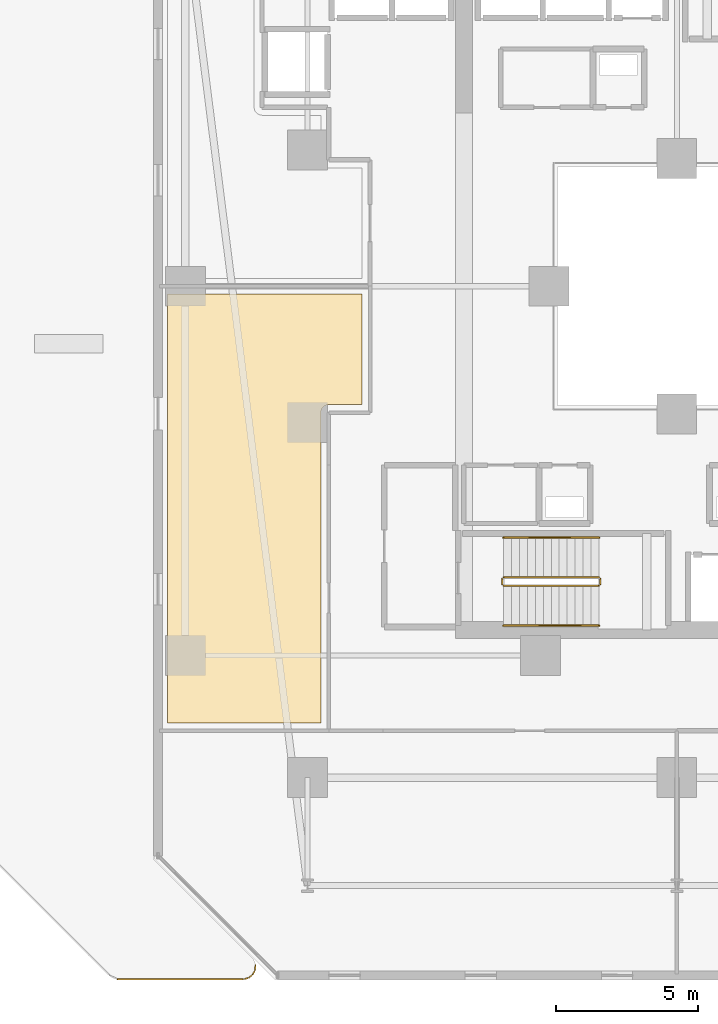
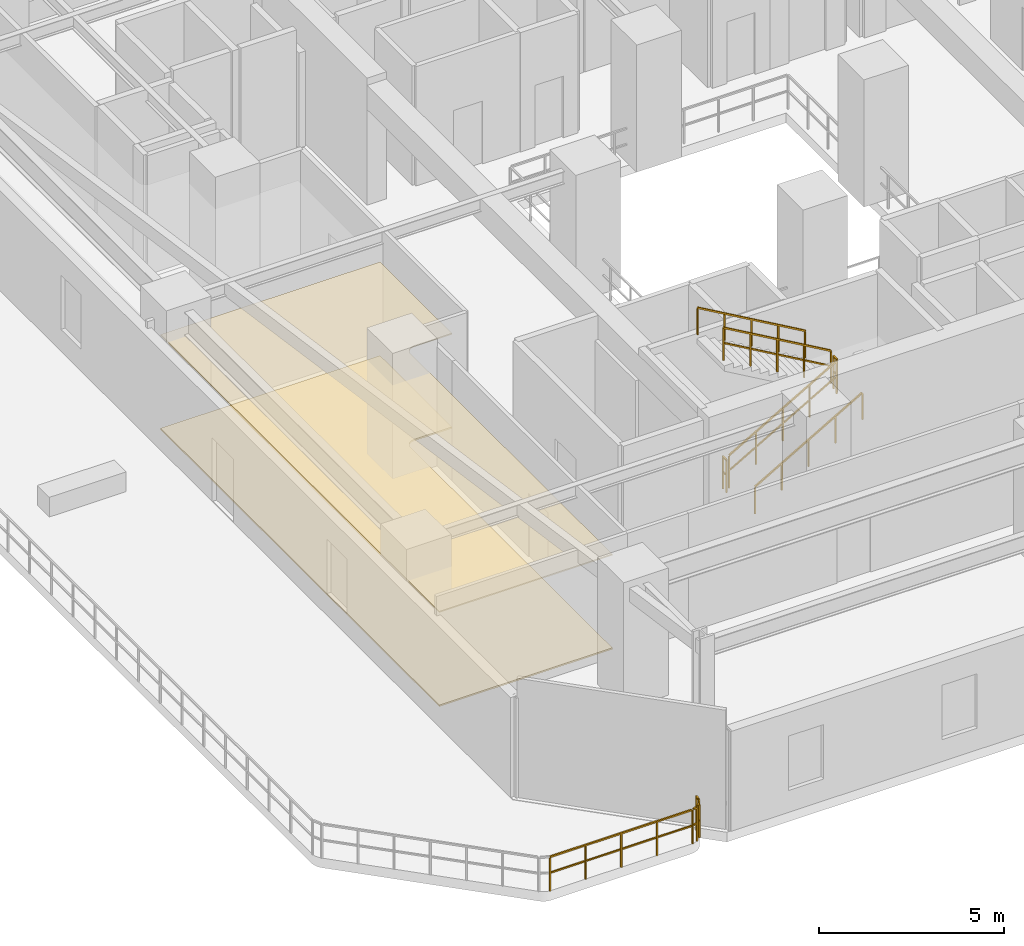
# One storey, part 28 of 33: 7 railings, 2 coverings.
"""IFC4 building model written with IfcOpenShell, lengths in metres."""

from ifc_helpers import new_model, si_unit, direction, frame, origin, origin_2d, place, context, subcontext, project, spatial, polyline, rectangle, outline, extrude, material, layer, layer_set, type_object, element, save


model = new_model("IFC4")

# Units and contexts
model_context = context("Model", 3, precision=1e-05, world=origin(), true_north=direction((0.0, 1.0)))
body_context = subcontext(model_context, "Body", "Model", "MODEL_VIEW")
ifc_project = project(units=[si_unit("LENGTHUNIT", "METRE"), si_unit("AREAUNIT", "SQUARE_METRE"), si_unit("VOLUMEUNIT", "CUBIC_METRE"), si_unit("PLANEANGLEUNIT", "RADIAN"), si_unit("MASSUNIT", "GRAM", prefix="KILO")], contexts=[model_context])

# Site, building, storey
site_placement = place(None, origin())
site = spatial("IfcSite", under=ifc_project, at=site_placement, CompositionType="ELEMENT")
building_placement = place(site_placement, origin())
building = spatial("IfcBuilding", under=site, at=building_placement, Name="Thornwick Lancets Civic Towers", CompositionType="ELEMENT")
storey_placement = place(building_placement, frame((0.0, 0.0, 49.5)))
storey = spatial("IfcBuildingStorey", under=building, at=storey_placement, Name="L12", CompositionType="ELEMENT", Elevation=49.5)

# Coverings
ifc_material_1 = material(Name="Perforated mineral acoustic ceiling tile")
ifc_layer_1 = layer(ifc_material_1, 0.0400390625, Name="Perforated mineral acoustic ceiling tile")
ifc_layer_set_1 = layer_set([ifc_layer_1], Name="Perforated mineral acoustic ceiling tile")
covering_type_1 = type_object("IfcCoveringType", Name="COV_CEIL_ACOUSTIC", PredefinedType="CEILING", material=ifc_layer_set_1)
covering_1_placement = place(storey_placement, frame((0.0, 0.0, 3.10498046875)))
element("IfcCovering", 1, at=covering_1_placement, inside=storey, type_object=covering_type_1, Name="L12 Tower A Ministry Directorate Office W1 Ceiling", PredefinedType="CEILING", context=body_context, shape_type="SweptSolid", body=[
    extrude(outline(polyline([(14.419921875, 26.719970703125), (14.419921875, 22.830078125), (13.25, 22.830078125), (13.22265625, 22.82861328125), (13.1953125, 22.82470703125), (13.168701171875, 22.81787109375), (13.142822265625, 22.80859375), (13.117919921875, 22.796875), (13.094482421875, 22.78271484375), (13.072509765625, 22.766357421875), (13.052001953125, 22.748046875), (13.03369140625, 22.7275390625), (13.01708984375, 22.70556640625), (13.003173828125, 22.681884765625), (12.9912109375, 22.6572265625), (12.982177734375, 22.63134765625), (12.975341796875, 22.6044921875), (12.97119140625, 22.577392578125), (12.969970703125, 22.550048828125), (12.969970703125, 11.6298828125), (7.56005859375, 11.6298828125), (7.56005859375, 26.719970703125), (14.419921875, 26.719970703125)])), origin(), (0.0, 0.0, 1.0), 0.0400390625),
])
ifc_material_2 = material(Name="Calcium-sulfate raised access floor panel")
ifc_layer_2 = layer(ifc_material_2, 0.050048828125, Name="Calcium-sulfate raised access floor panel")
ifc_layer_set_2 = layer_set([ifc_layer_2], Name="Calcium-sulfate raised access floor panel")
covering_type_2 = type_object("IfcCoveringType", Name="COV_FLOOR_RAISED", PredefinedType="FLOORING", material=ifc_layer_set_2)
covering_2_placement = place(storey_placement, origin())
element("IfcCovering", 2, at=covering_2_placement, inside=storey, type_object=covering_type_2, Name="L12 Tower A Ministry Directorate Office W1 Raised Access Flooring", PredefinedType="FLOORING", context=body_context, shape_type="SweptSolid", body=[
    extrude(outline(polyline([(14.419921875, 26.719970703125), (14.419921875, 22.830078125), (13.25, 22.830078125), (13.22265625, 22.82861328125), (13.1953125, 22.82470703125), (13.168701171875, 22.81787109375), (13.142822265625, 22.80859375), (13.117919921875, 22.796875), (13.094482421875, 22.78271484375), (13.072509765625, 22.766357421875), (13.052001953125, 22.748046875), (13.03369140625, 22.7275390625), (13.01708984375, 22.70556640625), (13.003173828125, 22.681884765625), (12.9912109375, 22.6572265625), (12.982177734375, 22.63134765625), (12.975341796875, 22.6044921875), (12.97119140625, 22.577392578125), (12.969970703125, 22.550048828125), (12.969970703125, 11.6298828125), (7.56005859375, 11.6298828125), (7.56005859375, 26.719970703125), (14.419921875, 26.719970703125)])), origin(), (0.0, 0.0, 1.0), 0.050048828125),
])

# Railings
ifc_material_3 = material(Name="Brushed stainless steel S355", Category="steel")
railing_type_1 = type_object("IfcRailingType", Name="RAIL_HANDRAIL", PredefinedType="HANDRAIL", material=ifc_material_3)
railing_1_placement = place(storey_placement, frame((19.39990234375, 15.050048828125, 0.16162109375)))
element("IfcRailing", 3, at=railing_1_placement, inside=storey, type_object=railing_type_1, Name="L12 ST-A1 stair handrail 1", PredefinedType="HANDRAIL", context=body_context, shape_type="SweptSolid", body=[
    extrude(rectangle(XDim=0.048095703125, YDim=0.048095703125, at=origin_2d()), frame((0.0, 0.0, 0.8857421875), z_axis=(0.866190824863, 0.0, 0.499713372768), x_axis=(0.0, 1.0, 0.0)), (0.0, 0.0, 1.0), 3.879150390625),
    extrude(rectangle(XDim=0.0419921875, YDim=0.0419921875, at=origin_2d()), origin(), (0.0, 0.0, 1.0), 0.855712890625),
    extrude(rectangle(XDim=0.0419921875, YDim=0.0419921875, at=origin_2d()), frame((0.840087890625, 0.0, 0.484619140625)), (0.0, 0.0, 1.0), 0.855712890625),
    extrude(rectangle(XDim=0.0419921875, YDim=0.0419921875, at=origin_2d()), frame((1.68017578125, 0.0, 0.96923828125)), (0.0, 0.0, 1.0), 0.855712890625),
    extrude(rectangle(XDim=0.0419921875, YDim=0.0419921875, at=origin_2d()), frame((2.52001953125, 0.0, 1.453857421875)), (0.0, 0.0, 1.0), 0.855712890625),
    extrude(rectangle(XDim=0.0419921875, YDim=0.0419921875, at=origin_2d()), frame((3.360107421875, 0.0, 1.9384765625)), (0.0, 0.0, 1.0), 0.855712890625),
])
railing_2_placement = place(storey_placement, frame((22.760009765625, 18.14990234375, 2.261474609375)))
element("IfcRailing", 4, at=railing_2_placement, inside=storey, type_object=railing_type_1, Name="L12 ST-A1 stair handrail 2", PredefinedType="HANDRAIL", context=body_context, shape_type="SweptSolid", body=[
    extrude(rectangle(XDim=0.048095703125, YDim=0.048095703125, at=origin_2d()), frame((0.0, 0.0, 0.8857421875), z_axis=(-0.866190824863, 0.0, 0.499713372768), x_axis=(0.0, -1.0, 0.0)), (0.0, 0.0, 1.0), 3.879150390625),
    extrude(rectangle(XDim=0.0419921875, YDim=0.0419921875, at=origin_2d()), origin(), (0.0, 0.0, 1.0), 0.855712890625),
    extrude(rectangle(XDim=0.0419921875, YDim=0.0419921875, at=origin_2d()), frame((-0.840087890625, 0.0, 0.484619140625)), (0.0, 0.0, 1.0), 0.855712890625),
    extrude(rectangle(XDim=0.0419921875, YDim=0.0419921875, at=origin_2d()), frame((-1.68017578125, 0.0, 0.96923828125)), (0.0, 0.0, 1.0), 0.855712890625),
    extrude(rectangle(XDim=0.0419921875, YDim=0.0419921875, at=origin_2d()), frame((-2.52001953125, 0.0, 1.453857421875)), (0.0, 0.0, 1.0), 0.855712890625),
    extrude(rectangle(XDim=0.0419921875, YDim=0.0419921875, at=origin_2d()), frame((-3.360107421875, 0.0, 1.9384765625)), (0.0, 0.0, 1.0), 0.855712890625),
])
ifc_material_4 = material(Name="Steel S355JR", Category="steel")
railing_type_2 = type_object("IfcRailingType", Name="RAIL_STAIR_GUARD", PredefinedType="GUARDRAIL", material=ifc_material_4)
railing_3_placement = place(storey_placement, frame((19.39990234375, 16.449951171875, 0.16162109375)))
element("IfcRailing", 5, at=railing_3_placement, inside=storey, type_object=railing_type_2, Name="L12 ST-A1 stair guard 1", PredefinedType="GUARDRAIL", context=body_context, shape_type="SweptSolid", body=[
    extrude(rectangle(XDim=0.048095703125, YDim=0.048095703125, at=origin_2d()), frame((0.0, 0.0, 1.076171875), z_axis=(0.866190824863, 0.0, 0.499713372768), x_axis=(0.0, 1.0, 0.0)), (0.0, 0.0, 1.0), 3.879150390625),
    extrude(rectangle(XDim=0.0419921875, YDim=0.0419921875, at=origin_2d()), frame((0.032470703125, 0.0, 0.5908203125), z_axis=(0.866190824863, 0.0, 0.499713372768), x_axis=(0.0, 1.0, 0.0)), (0.0, 0.0, 1.0), 0.894775390625),
    extrude(rectangle(XDim=0.0419921875, YDim=0.0419921875, at=origin_2d()), frame((0.87255859375, 0.0, 1.075439453125), z_axis=(0.866190824863, 0.0, 0.499713372768), x_axis=(0.0, 1.0, 0.0)), (0.0, 0.0, 1.0), 0.894775390625),
    extrude(rectangle(XDim=0.0419921875, YDim=0.0419921875, at=origin_2d()), frame((1.712646484375, 0.0, 1.56005859375), z_axis=(0.866190824863, 0.0, 0.499713372768), x_axis=(0.0, 1.0, 0.0)), (0.0, 0.0, 1.0), 0.894775390625),
    extrude(rectangle(XDim=0.0419921875, YDim=0.0419921875, at=origin_2d()), frame((2.552490234375, 0.0, 2.044677734375), z_axis=(0.866190824863, 0.0, 0.499713372768), x_axis=(0.0, 1.0, 0.0)), (0.0, 0.0, 1.0), 0.894775390625),
    extrude(rectangle(XDim=0.0419921875, YDim=0.0419921875, at=origin_2d()), origin(), (0.0, 0.0, 1.0), 1.0458984375),
    extrude(rectangle(XDim=0.0419921875, YDim=0.0419921875, at=origin_2d()), frame((0.840087890625, 0.0, 0.484619140625)), (0.0, 0.0, 1.0), 1.0458984375),
    extrude(rectangle(XDim=0.0419921875, YDim=0.0419921875, at=origin_2d()), frame((1.68017578125, 0.0, 0.96923828125)), (0.0, 0.0, 1.0), 1.0458984375),
    extrude(rectangle(XDim=0.0419921875, YDim=0.0419921875, at=origin_2d()), frame((2.52001953125, 0.0, 1.453857421875)), (0.0, 0.0, 1.0), 1.0458984375),
    extrude(rectangle(XDim=0.0419921875, YDim=0.0419921875, at=origin_2d()), frame((3.360107421875, 0.0, 1.9384765625)), (0.0, 0.0, 1.0), 1.0458984375),
])
railing_4_placement = place(storey_placement, frame((22.81005859375, 16.5, 2.10009765625)))
element("IfcRailing", 6, at=railing_4_placement, inside=storey, type_object=railing_type_2, Name="L12 ST-A1 stair guard 2", PredefinedType="GUARDRAIL", context=body_context, shape_type="SweptSolid", body=[
    extrude(rectangle(XDim=0.048095703125, YDim=0.048095703125, at=origin_2d()), frame((0.0, 0.0, 1.076171875), z_axis=(0.0, 1.0, 0.0), x_axis=(-1.0, 0.0, 0.0)), (0.0, 0.0, 1.0), 0.199951171875),
    extrude(rectangle(XDim=0.0419921875, YDim=0.0419921875, at=origin_2d()), frame((0.0, 0.03759765625, 0.572021484375), z_axis=(0.0, 1.0, 0.0), x_axis=(-1.0, 0.0, 0.0)), (0.0, 0.0, 1.0), 0.125),
    extrude(rectangle(XDim=0.0419921875, YDim=0.0419921875, at=origin_2d()), origin(), (0.0, 0.0, 1.0), 1.0458984375),
    extrude(rectangle(XDim=0.0419921875, YDim=0.0419921875, at=origin_2d()), frame((0.0, 0.199951171875, 0.0)), (0.0, 0.0, 1.0), 1.0458984375),
])
railing_5_placement = place(storey_placement, frame((22.760009765625, 16.75, 2.261474609375)))
element("IfcRailing", 7, at=railing_5_placement, inside=storey, type_object=railing_type_2, Name="L12 ST-A1 stair guard 3", PredefinedType="GUARDRAIL", context=body_context, shape_type="SweptSolid", body=[
    extrude(rectangle(XDim=0.048095703125, YDim=0.048095703125, at=origin_2d()), frame((0.0, 0.0, 1.076171875), z_axis=(-0.866190824863, 0.0, 0.499713372768), x_axis=(0.0, -1.0, 0.0)), (0.0, 0.0, 1.0), 3.879150390625),
    extrude(rectangle(XDim=0.0419921875, YDim=0.0419921875, at=origin_2d()), frame((-0.032470703125, 0.0, 0.5908203125), z_axis=(-0.866190824863, 0.0, 0.499713372768), x_axis=(0.0, -1.0, 0.0)), (0.0, 0.0, 1.0), 0.894775390625),
    extrude(rectangle(XDim=0.0419921875, YDim=0.0419921875, at=origin_2d()), frame((-0.87255859375, 0.0, 1.075439453125), z_axis=(-0.866190824863, 0.0, 0.499713372768), x_axis=(0.0, -1.0, 0.0)), (0.0, 0.0, 1.0), 0.894775390625),
    extrude(rectangle(XDim=0.0419921875, YDim=0.0419921875, at=origin_2d()), frame((-1.712646484375, 0.0, 1.56005859375), z_axis=(-0.866190824863, 0.0, 0.499713372768), x_axis=(0.0, -1.0, 0.0)), (0.0, 0.0, 1.0), 0.894775390625),
    extrude(rectangle(XDim=0.0419921875, YDim=0.0419921875, at=origin_2d()), frame((-2.552490234375, 0.0, 2.044677734375), z_axis=(-0.866190824863, 0.0, 0.499713372768), x_axis=(0.0, -1.0, 0.0)), (0.0, 0.0, 1.0), 0.894775390625),
    extrude(rectangle(XDim=0.0419921875, YDim=0.0419921875, at=origin_2d()), origin(), (0.0, 0.0, 1.0), 1.0458984375),
    extrude(rectangle(XDim=0.0419921875, YDim=0.0419921875, at=origin_2d()), frame((-0.840087890625, 0.0, 0.484619140625)), (0.0, 0.0, 1.0), 1.0458984375),
    extrude(rectangle(XDim=0.0419921875, YDim=0.0419921875, at=origin_2d()), frame((-1.68017578125, 0.0, 0.96923828125)), (0.0, 0.0, 1.0), 1.0458984375),
    extrude(rectangle(XDim=0.0419921875, YDim=0.0419921875, at=origin_2d()), frame((-2.52001953125, 0.0, 1.453857421875)), (0.0, 0.0, 1.0), 1.0458984375),
    extrude(rectangle(XDim=0.0419921875, YDim=0.0419921875, at=origin_2d()), frame((-3.360107421875, 0.0, 1.9384765625)), (0.0, 0.0, 1.0), 1.0458984375),
])
railing_6_placement = place(storey_placement, frame((19.35009765625, 16.5, 0.0)))
element("IfcRailing", 8, at=railing_6_placement, inside=storey, type_object=railing_type_2, Name="L12 ST-A1 stair guard 4", PredefinedType="GUARDRAIL", context=body_context, shape_type="SweptSolid", body=[
    extrude(rectangle(XDim=0.048095703125, YDim=0.048095703125, at=origin_2d()), frame((0.0, 0.0, 1.076171875), z_axis=(0.0, 1.0, 0.0), x_axis=(-1.0, 0.0, 0.0)), (0.0, 0.0, 1.0), 0.199951171875),
    extrude(rectangle(XDim=0.0419921875, YDim=0.0419921875, at=origin_2d()), frame((0.0, 0.03759765625, 0.572021484375), z_axis=(0.0, 1.0, 0.0), x_axis=(-1.0, 0.0, 0.0)), (0.0, 0.0, 1.0), 0.125),
    extrude(rectangle(XDim=0.0419921875, YDim=0.0419921875, at=origin_2d()), origin(), (0.0, 0.0, 1.0), 1.0458984375),
    extrude(rectangle(XDim=0.0419921875, YDim=0.0419921875, at=origin_2d()), frame((0.0, 0.199951171875, 0.0)), (0.0, 0.0, 1.0), 1.0458984375),
])
ifc_material_5 = material(Name="Terracotta-capped laminated glass balustrade S355", Category="masonry")
railing_type_3 = type_object("IfcRailingType", Name="RAIL_TERR_GUARD", PredefinedType="GUARDRAIL", material=ifc_material_5)
railing_7_placement = place(storey_placement, frame((10.668701171875, 3.09765625, 0.0)))
element("IfcRailing", 9, at=railing_7_placement, inside=storey, type_object=railing_type_3, Name="L12 Tower A Sky-Garden Guard 1 Part 2", PredefinedType="GUARDRAIL", context=body_context, shape_type="SweptSolid", body=[
    extrude(rectangle(XDim=0.048095703125, YDim=0.048095703125, at=origin_2d()), frame((0.0, 0.0, 1.1259765625), z_axis=(-0.094101126617, -0.99556264392, 0.0), x_axis=(0.99556264392, -0.094101126617, 0.0)), (0.0, 0.0, 1.0), 0.147705078125),
    extrude(rectangle(XDim=0.0419921875, YDim=0.0419921875, at=origin_2d()), frame((-0.00341796875, -0.037353515625, 0.597900390625), z_axis=(-0.094101126617, -0.99556264392, 0.0), x_axis=(0.99556264392, -0.094101126617, 0.0)), (0.0, 0.0, 1.0), 0.10400390625),
    extrude(rectangle(XDim=0.048095703125, YDim=0.048095703125, at=origin_2d()), frame((-0.031494140625, -0.205810546875, 1.1259765625), z_axis=(-0.470948722639, -0.882160586654, 0.0), x_axis=(0.882160586654, -0.470948722639, 0.0)), (0.0, 0.0, 1.0), 0.11328125),
    extrude(rectangle(XDim=0.0419921875, YDim=0.0419921875, at=origin_2d()), frame((-0.034423828125, -0.211181640625, 0.597900390625), z_axis=(-0.470948722639, -0.882160586654, 0.0), x_axis=(0.882160586654, -0.470948722639, 0.0)), (0.0, 0.0, 1.0), 0.100830078125),
    extrude(rectangle(XDim=0.048095703125, YDim=0.048095703125, at=origin_2d()), frame((-0.123779296875, -0.35302734375, 1.1259765625), z_axis=(-0.773213238462, -0.634146109242, 0.0), x_axis=(0.634146109242, -0.773213238462, 0.0)), (0.0, 0.0, 1.0), 0.113037109375),
    extrude(rectangle(XDim=0.0419921875, YDim=0.0419921875, at=origin_2d()), frame((-0.128662109375, -0.35693359375, 0.597900390625), z_axis=(-0.773213238462, -0.634146109242, 0.0), x_axis=(0.634146109242, -0.773213238462, 0.0)), (0.0, 0.0, 1.0), 0.1005859375),
    extrude(rectangle(XDim=0.048095703125, YDim=0.048095703125, at=origin_2d()), frame((-0.265380859375, -0.45361328125, 1.1259765625), z_axis=(-0.957211427299, -0.289389501276, 0.0), x_axis=(0.289389501276, -0.957211427299, 0.0)), (0.0, 0.0, 1.0), 0.113037109375),
    extrude(rectangle(XDim=0.0419921875, YDim=0.0419921875, at=origin_2d()), frame((-0.271240234375, -0.455322265625, 0.597900390625), z_axis=(-0.957211427299, -0.289389501276, 0.0), x_axis=(0.289389501276, -0.957211427299, 0.0)), (0.0, 0.0, 1.0), 0.1005859375),
    extrude(rectangle(XDim=0.048095703125, YDim=0.048095703125, at=origin_2d()), frame((-0.4345703125, -0.495361328125, 1.1259765625), z_axis=(-1.0, 0.0, 0.0), x_axis=(0.0, -1.0, 0.0)), (0.0, 0.0, 1.0), 4.427734375),
    extrude(rectangle(XDim=0.0419921875, YDim=0.0419921875, at=origin_2d()), frame((-0.44091796875, -0.495361328125, 0.597900390625), z_axis=(-1.0, 0.0, 0.0), x_axis=(0.0, -1.0, 0.0)), (0.0, 0.0, 1.0), 1.039794921875),
    extrude(rectangle(XDim=0.0419921875, YDim=0.0419921875, at=origin_2d()), frame((-1.5556640625, -0.495361328125, 0.597900390625), z_axis=(-1.0, 0.0, 0.0), x_axis=(0.0, -1.0, 0.0)), (0.0, 0.0, 1.0), 1.039794921875),
    extrude(rectangle(XDim=0.0419921875, YDim=0.0419921875, at=origin_2d()), frame((-2.67041015625, -0.495361328125, 0.597900390625), z_axis=(-1.0, 0.0, 0.0), x_axis=(0.0, -1.0, 0.0)), (0.0, 0.0, 1.0), 1.039794921875),
    extrude(rectangle(XDim=0.0419921875, YDim=0.0419921875, at=origin_2d()), frame((-3.78515625, -0.495361328125, 0.597900390625), z_axis=(-1.0, 0.0, 0.0), x_axis=(0.0, -1.0, 0.0)), (0.0, 0.0, 1.0), 1.039794921875),
    extrude(rectangle(XDim=0.0419921875, YDim=0.0419921875, at=origin_2d()), origin(), (0.0, 0.0, 1.0), 1.095703125),
    extrude(rectangle(XDim=0.0419921875, YDim=0.0419921875, at=origin_2d()), frame((-0.016845703125, -0.17822265625, 0.0)), (0.0, 0.0, 1.0), 1.095703125),
    extrude(rectangle(XDim=0.0419921875, YDim=0.0419921875, at=origin_2d()), frame((-0.099609375, -0.333251953125, 0.0)), (0.0, 0.0, 1.0), 1.095703125),
    extrude(rectangle(XDim=0.0419921875, YDim=0.0419921875, at=origin_2d()), frame((-0.2353515625, -0.444580078125, 0.0)), (0.0, 0.0, 1.0), 1.095703125),
    extrude(rectangle(XDim=0.0419921875, YDim=0.0419921875, at=origin_2d()), frame((-0.4033203125, -0.495361328125, 0.0)), (0.0, 0.0, 1.0), 1.095703125),
    extrude(rectangle(XDim=0.0419921875, YDim=0.0419921875, at=origin_2d()), frame((-1.51806640625, -0.495361328125, 0.0)), (0.0, 0.0, 1.0), 1.095703125),
    extrude(rectangle(XDim=0.0419921875, YDim=0.0419921875, at=origin_2d()), frame((-2.6328125, -0.495361328125, 0.0)), (0.0, 0.0, 1.0), 1.095703125),
    extrude(rectangle(XDim=0.0419921875, YDim=0.0419921875, at=origin_2d()), frame((-3.74755859375, -0.495361328125, 0.0)), (0.0, 0.0, 1.0), 1.095703125),
    extrude(rectangle(XDim=0.0419921875, YDim=0.0419921875, at=origin_2d()), frame((-4.8623046875, -0.495361328125, 0.0)), (0.0, 0.0, 1.0), 1.095703125),
])

save(model, "model.ifc")
